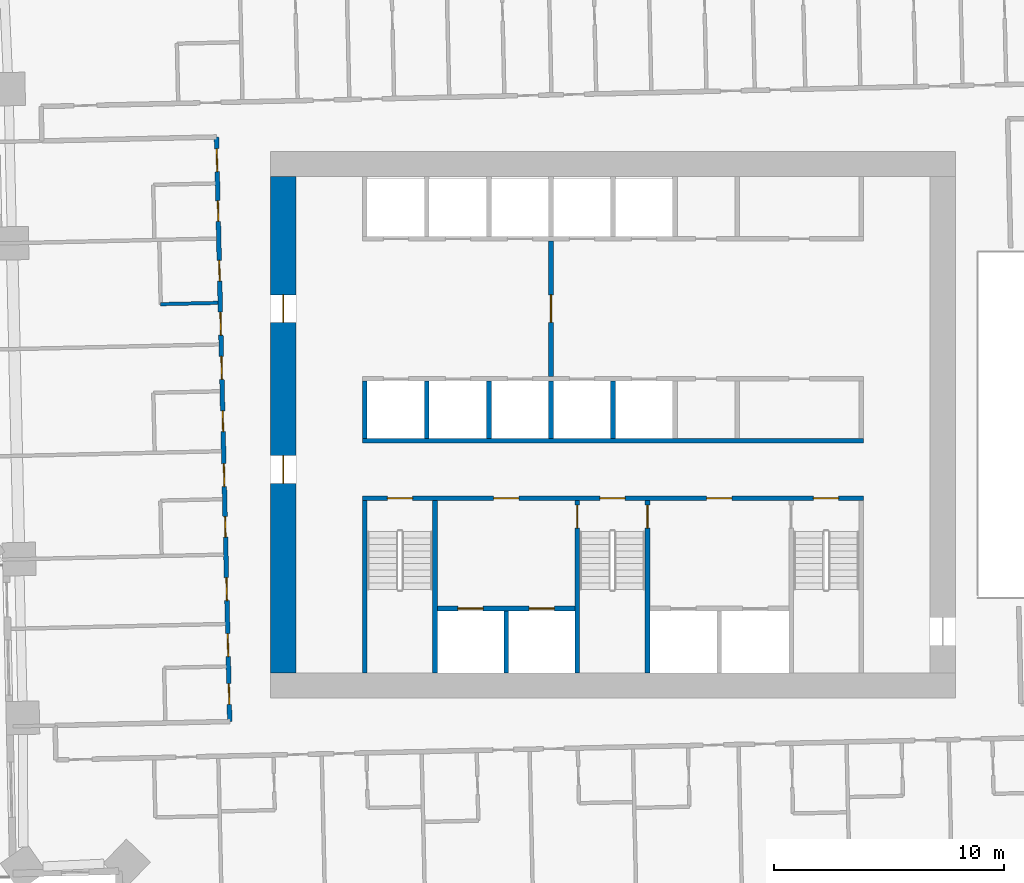
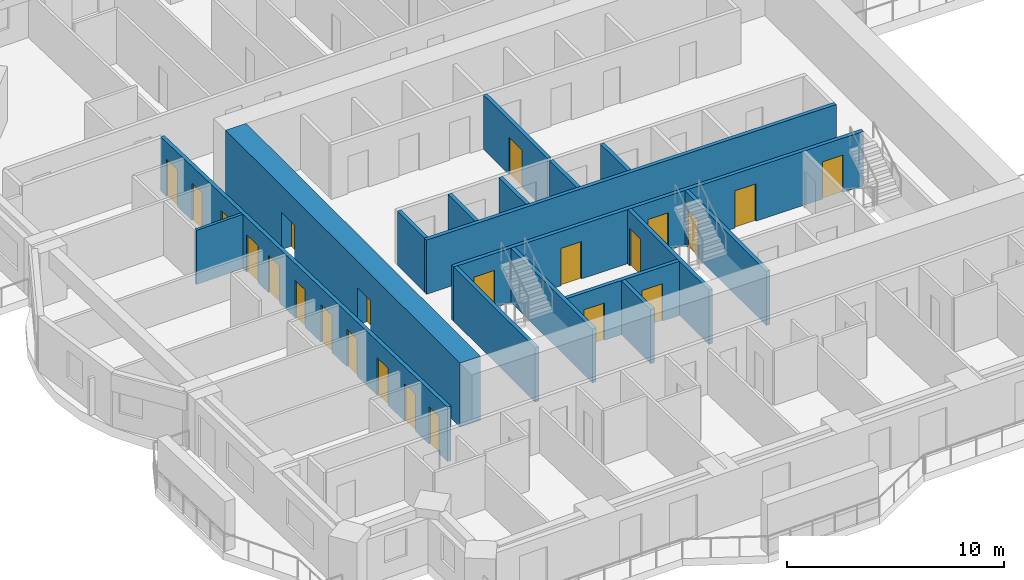
# One storey, part 8 of 17: 23 doors, 17 walls, 23 openings.
"""IFC4 building model written with IfcOpenShell, lengths in metres."""

from ifc_helpers import new_model, si_unit, direction, frame, frame_2d, origin, place, context, subcontext, project, spatial, rectangle, extrude, material, layer, layer_set, type_object, element, fill, save


model = new_model("IFC4")

# Units and contexts
model_context = context("Model", 3, precision=1e-05, world=origin(), true_north=direction((0.0, 1.0)))
body_context = subcontext(model_context, "Body", "Model", "MODEL_VIEW")
ifc_project = project(units=[si_unit("LENGTHUNIT", "METRE"), si_unit("AREAUNIT", "SQUARE_METRE"), si_unit("VOLUMEUNIT", "CUBIC_METRE"), si_unit("PLANEANGLEUNIT", "RADIAN"), si_unit("MASSUNIT", "GRAM", prefix="KILO")], contexts=[model_context])

# Site, building, storey
site_placement = place(None, origin())
site = spatial("IfcSite", under=ifc_project, at=site_placement, CompositionType="ELEMENT")
building_placement = place(site_placement, origin())
building = spatial("IfcBuilding", under=site, at=building_placement, Name="Mangrove Gate Tower", CompositionType="ELEMENT")
storey_placement = place(building_placement, frame((0.0, 0.0, 86.5)))
storey = spatial("IfcBuildingStorey", under=building, at=storey_placement, Name="L21", CompositionType="ELEMENT", Elevation=86.5)

# Wall, opening, door
ifc_material_1 = material(Name="Concrete C32/40", Category="concrete")
ifc_layer_1 = layer(ifc_material_1, 0.199951171875)
ifc_layer_set_1 = layer_set([ifc_layer_1], Name="Core lobby wall 200 C32/40")
wall_type_1 = type_object("IfcWallType", Name="Core lobby wall 200 C32/40", PredefinedType="STANDARD", material=ifc_layer_set_1)
wall_1_placement = place(storey_placement, frame((-2.699951171875, 2.10009765625, 0.0), z_axis=(0.0, 0.0, 1.0), x_axis=(0.0, 1.0, 0.0)))
wall_1 = element("IfcWall", 1, at=wall_1_placement, inside=storey, type_object=wall_type_1, Name="WALL-L21-CORE-35", PredefinedType="STANDARD", context=body_context, shape_type="SweptSolid", body=[
    extrude(rectangle(XDim=5.89990234375, YDim=0.199951171875, at=frame_2d((2.949951171875, 0.0))), origin(), (0.0, 0.0, 1.0), 3.050048828125),
])
opening_1_placement = place(wall_1_placement, frame((2.35009765625, 0.0, 0.0)))
opening_1 = element("IfcOpeningElement", 2, at=opening_1_placement, cuts=wall_1, Name="Opening FL12", PredefinedType="OPENING", context=body_context, shape_type="SweptSolid", body=[
    extrude(rectangle(XDim=1.199951171875, YDim=2.10009765625, at=frame_2d((0.60009765625, 1.050048828125))), frame((0.0, 0.10986328125, 0.0), z_axis=(0.0, -1.0, 0.0), x_axis=(1.0, 0.0, 0.0)), (0.0, 0.0, 1.0), 0.219970703125),
])
ifc_material_2 = material(Name="Fire-rated steel door set", Category="steel")
door_type_1 = type_object("IfcDoorType", Name="Lobby door FD60 1200x2100", OperationType="SINGLE_SWING_LEFT", PredefinedType="DOOR", material=ifc_material_2)
door_1_placement = place(opening_1_placement, origin())
door_1 = element("IfcDoor", 3, at=door_1_placement, inside=storey, type_object=door_type_1, Name="Lobby door lift lobby partition", OperationType="SINGLE_SWING_LEFT", OverallHeight=2.10009765625, OverallWidth=1.199951171875, PredefinedType="DOOR", context=body_context, shape_type="SweptSolid", body=[
    extrude(rectangle(XDim=1.199951171875, YDim=2.10009765625, at=frame_2d((0.60009765625, 1.050048828125))), frame((0.0, 0.02490234375, 0.0), z_axis=(0.0, -1.0, 0.0), x_axis=(1.0, 0.0, 0.0)), (0.0, 0.0, 1.0), 0.050048828125),
])
fill(opening_1, door_1)

# Wall
ifc_material_3 = material(Name="Concrete C70/85", Category="concrete")
ifc_layer_2 = layer(ifc_material_3, 0.199951171875)
ifc_layer_set_2 = layer_set([ifc_layer_2], Name="Core shaft wall 200 C70/85")
wall_type_2 = type_object("IfcWallType", Name="Core shaft wall 200 C70/85", PredefinedType="SHEAR", material=ifc_layer_set_2)
wall_2_placement = place(storey_placement, frame((-10.89990234375, -0.699951171875, 0.0), z_axis=(0.0, 0.0, 1.0), x_axis=(1.0, 0.0, 0.0)))
element("IfcWall", 4, at=wall_2_placement, inside=storey, type_object=wall_type_2, Name="WALL-L21-CORE-6", PredefinedType="SHEAR", context=body_context, shape_type="SweptSolid", body=[
    extrude(rectangle(XDim=21.7998046875, YDim=0.199951171875, at=frame_2d((10.89990234375, 0.0))), origin(), (0.0, 0.0, 1.0), 3.050048828125),
])

# Wall, openings, doors
wall_3_placement = place(storey_placement, frame((-7.64990234375, -8.0, 0.0), z_axis=(0.0, 0.0, 1.0), x_axis=(1.0, 0.0, 0.0)))
wall_3 = element("IfcWall", 5, at=wall_3_placement, inside=storey, type_object=wall_type_2, Name="WALL-L21-CORE-15", PredefinedType="SHEAR", context=body_context, shape_type="SweptSolid", body=[
    extrude(rectangle(XDim=6.0, YDim=0.199951171875, at=frame_2d((3.0, 0.0))), origin(), (0.0, 0.0, 1.0), 3.050048828125),
])
opening_2_placement = place(wall_3_placement, frame((0.89990234375, 0.0, 0.0)))
opening_2 = element("IfcOpeningElement", 6, at=opening_2_placement, cuts=wall_3, Name="Opening LD", PredefinedType="OPENING", context=body_context, shape_type="SweptSolid", body=[
    extrude(rectangle(XDim=1.10009765625, YDim=2.10009765625, at=frame_2d((0.550048828125, 1.050048828125))), frame((0.0, 0.10986328125, 0.0), z_axis=(0.0, -1.0, 0.0), x_axis=(1.0, 0.0, 0.0)), (0.0, 0.0, 1.0), 0.219970703125),
])
opening_3_placement = place(wall_3_placement, frame((4.0, 0.0, 0.0)))
opening_3 = element("IfcOpeningElement", 7, at=opening_3_placement, cuts=wall_3, Name="Opening LD", PredefinedType="OPENING", context=body_context, shape_type="SweptSolid", body=[
    extrude(rectangle(XDim=1.10009765625, YDim=2.10009765625, at=frame_2d((0.550048828125, 1.050048828125))), frame((0.0, 0.10986328125, 0.0), z_axis=(0.0, -1.0, 0.0), x_axis=(1.0, 0.0, 0.0)), (0.0, 0.0, 1.0), 0.219970703125),
])
ifc_material_4 = material(Name="Stainless steel 316", Category="steel")
door_type_2 = type_object("IfcDoorType", Name="Lift landing door 1100x2100", OperationType="SLIDING_TO_LEFT", PredefinedType="DOOR", material=ifc_material_4)
door_2_placement = place(opening_2_placement, origin())
door_2 = element("IfcDoor", 8, at=door_2_placement, inside=storey, type_object=door_type_2, Name="Landing door LD SVL1", OperationType="SLIDING_TO_LEFT", OverallHeight=2.10009765625, OverallWidth=1.10009765625, PredefinedType="DOOR", context=body_context, shape_type="SweptSolid", body=[
    extrude(rectangle(XDim=1.10009765625, YDim=2.10009765625, at=frame_2d((0.550048828125, 1.050048828125))), frame((0.0, 0.02490234375, 0.0), z_axis=(0.0, -1.0, 0.0), x_axis=(1.0, 0.0, 0.0)), (0.0, 0.0, 1.0), 0.050048828125),
])
fill(opening_2, door_2)
door_3_placement = place(opening_3_placement, origin())
door_3 = element("IfcDoor", 9, at=door_3_placement, inside=storey, type_object=door_type_2, Name="Landing door LD SVL2", OperationType="SLIDING_TO_LEFT", OverallHeight=2.10009765625, OverallWidth=1.10009765625, PredefinedType="DOOR", context=body_context, shape_type="SweptSolid", body=[
    extrude(rectangle(XDim=1.10009765625, YDim=2.10009765625, at=frame_2d((0.550048828125, 1.050048828125))), frame((0.0, 0.02490234375, 0.0), z_axis=(0.0, -1.0, 0.0), x_axis=(1.0, 0.0, 0.0)), (0.0, 0.0, 1.0), 0.050048828125),
])
fill(opening_3, door_3)

# Walls
wall_4_placement = place(storey_placement, frame((-4.64990234375, -10.800048828125, 0.0), z_axis=(0.0, 0.0, 1.0), x_axis=(0.0, 1.0, 0.0)))
element("IfcWall", 10, at=wall_4_placement, inside=storey, type_object=wall_type_2, Name="WALL-L21-CORE-16", PredefinedType="SHEAR", context=body_context, shape_type="SweptSolid", body=[
    extrude(rectangle(XDim=2.699951171875, YDim=0.199951171875, at=frame_2d((1.35009765625, 0.0))), origin(), (0.0, 0.0, 1.0), 3.050048828125),
])
for number, where, z_axis, x_axis, name in (
    (11, (-10.800048828125, -0.60009765625, 0.0), (0.0, 0.0, 1.0), (0.0, 1.0, 0.0), "WALL-L21-CORE-19"),
    (12, (-8.10009765625, -0.60009765625, 0.0), (0.0, 0.0, 1.0), (0.0, 1.0, 0.0), "WALL-L21-CORE-20"),
    (13, (-5.39990234375, -0.60009765625, 0.0), (0.0, 0.0, 1.0), (0.0, 1.0, 0.0), "WALL-L21-CORE-21"),
    (14, (-2.699951171875, -0.60009765625, 0.0), (0.0, 0.0, 1.0), (0.0, 1.0, 0.0), "WALL-L21-CORE-22"),
    (15, (0.0, -0.60009765625, 0.0), (0.0, 0.0, 1.0), (0.0, 1.0, 0.0), "WALL-L21-CORE-23"),
):
    element("IfcWall", number, at=place(storey_placement, frame(where, z_axis=z_axis, x_axis=x_axis)), inside=storey, type_object=wall_type_2, Name=name, PredefinedType="SHEAR", context=body_context, shape_type="SweptSolid", body=[
        extrude(rectangle(XDim=2.5, YDim=0.199951171875, at=frame_2d((1.25, 0.0))), origin(), (0.0, 0.0, 1.0), 3.050048828125),
    ])

# Wall, openings, doors
ifc_material_5 = material(Name="Concrete C70/85", Category="concrete")
ifc_layer_3 = layer(ifc_material_5, 0.199951171875)
ifc_layer_set_3 = layer_set([ifc_layer_3], Name="Core stair wall 200 C70/85")
wall_type_3 = type_object("IfcWallType", Name="Core stair wall 200 C70/85", PredefinedType="SHEAR", material=ifc_layer_set_3)
wall_5_placement = place(storey_placement, frame((-10.89990234375, -3.199951171875, 0.0), z_axis=(0.0, 0.0, 1.0), x_axis=(1.0, 0.0, 0.0)))
wall_5 = element("IfcWall", 16, at=wall_5_placement, inside=storey, type_object=wall_type_3, Name="WALL-L21-CORE-5", PredefinedType="SHEAR", context=body_context, shape_type="SweptSolid", body=[
    extrude(rectangle(XDim=21.7998046875, YDim=0.199951171875, at=frame_2d((10.89990234375, 0.0))), origin(), (0.0, 0.0, 1.0), 3.050048828125),
])
opening_4_placement = place(wall_5_placement, frame((1.074951171875, 0.0, 0.0)))
opening_4 = element("IfcOpeningElement", 17, at=opening_4_placement, cuts=wall_5, Name="Opening STD11", PredefinedType="OPENING", context=body_context, shape_type="SweptSolid", body=[
    extrude(rectangle(XDim=1.10009765625, YDim=2.10009765625, at=frame_2d((0.550048828125, 1.050048828125))), frame((0.0, 0.10986328125, 0.0), z_axis=(0.0, -1.0, 0.0), x_axis=(1.0, 0.0, 0.0)), (0.0, 0.0, 1.0), 0.219970703125),
])
opening_5_placement = place(wall_5_placement, frame((10.324951171875, 0.0, 0.0)))
opening_5 = element("IfcOpeningElement", 18, at=opening_5_placement, cuts=wall_5, Name="Opening STD11", PredefinedType="OPENING", context=body_context, shape_type="SweptSolid", body=[
    extrude(rectangle(XDim=1.10009765625, YDim=2.10009765625, at=frame_2d((0.550048828125, 1.050048828125))), frame((0.0, 0.10986328125, 0.0), z_axis=(0.0, -1.0, 0.0), x_axis=(1.0, 0.0, 0.0)), (0.0, 0.0, 1.0), 0.219970703125),
])
opening_6_placement = place(wall_5_placement, frame((19.625, 0.0, 0.0)))
opening_6 = element("IfcOpeningElement", 19, at=opening_6_placement, cuts=wall_5, Name="Opening STD11", PredefinedType="OPENING", context=body_context, shape_type="SweptSolid", body=[
    extrude(rectangle(XDim=1.10009765625, YDim=2.10009765625, at=frame_2d((0.550048828125, 1.050048828125))), frame((0.0, 0.10986328125, 0.0), z_axis=(0.0, -1.0, 0.0), x_axis=(1.0, 0.0, 0.0)), (0.0, 0.0, 1.0), 0.219970703125),
])
opening_7_placement = place(wall_5_placement, frame((5.699951171875, 0.0, 0.0)))
opening_7 = element("IfcOpeningElement", 20, at=opening_7_placement, cuts=wall_5, Name="Opening FL", PredefinedType="OPENING", context=body_context, shape_type="SweptSolid", body=[
    extrude(rectangle(XDim=1.10009765625, YDim=2.10009765625, at=frame_2d((0.550048828125, 1.050048828125))), frame((0.0, 0.10986328125, 0.0), z_axis=(0.0, -1.0, 0.0), x_axis=(1.0, 0.0, 0.0)), (0.0, 0.0, 1.0), 0.219970703125),
])
opening_8_placement = place(wall_5_placement, frame((14.97509765625, 0.0, 0.0)))
opening_8 = element("IfcOpeningElement", 21, at=opening_8_placement, cuts=wall_5, Name="Opening FL", PredefinedType="OPENING", context=body_context, shape_type="SweptSolid", body=[
    extrude(rectangle(XDim=1.10009765625, YDim=2.10009765625, at=frame_2d((0.550048828125, 1.050048828125))), frame((0.0, 0.10986328125, 0.0), z_axis=(0.0, -1.0, 0.0), x_axis=(1.0, 0.0, 0.0)), (0.0, 0.0, 1.0), 0.219970703125),
])
ifc_material_6 = material(Name="Fire-rated steel door set", Category="steel")
door_type_3 = type_object("IfcDoorType", Name="Lobby door FD60 1100x2100", OperationType="SINGLE_SWING_LEFT", PredefinedType="DOOR", material=ifc_material_6)
door_4_placement = place(opening_7_placement, origin())
door_4 = element("IfcDoor", 22, at=door_4_placement, inside=storey, type_object=door_type_3, Name="Lobby door service lobby", OperationType="SINGLE_SWING_LEFT", OverallHeight=2.10009765625, OverallWidth=1.10009765625, PredefinedType="DOOR", context=body_context, shape_type="SweptSolid", body=[
    extrude(rectangle(XDim=1.10009765625, YDim=2.10009765625, at=frame_2d((0.550048828125, 1.050048828125))), frame((0.0, 0.02490234375, 0.0), z_axis=(0.0, -1.0, 0.0), x_axis=(1.0, 0.0, 0.0)), (0.0, 0.0, 1.0), 0.050048828125),
])
fill(opening_7, door_4)
door_5_placement = place(opening_8_placement, origin())
door_5 = element("IfcDoor", 23, at=door_5_placement, inside=storey, type_object=door_type_3, Name="Lobby door fire-fighting lobby", OperationType="SINGLE_SWING_LEFT", OverallHeight=2.10009765625, OverallWidth=1.10009765625, PredefinedType="DOOR", context=body_context, shape_type="SweptSolid", body=[
    extrude(rectangle(XDim=1.10009765625, YDim=2.10009765625, at=frame_2d((0.550048828125, 1.050048828125))), frame((0.0, 0.02490234375, 0.0), z_axis=(0.0, -1.0, 0.0), x_axis=(1.0, 0.0, 0.0)), (0.0, 0.0, 1.0), 0.050048828125),
])
fill(opening_8, door_5)
ifc_material_7 = material(Name="Fire-rated steel door set", Category="steel")
door_type_4 = type_object("IfcDoorType", Name="Stair door FD60 1100x2100", OperationType="SINGLE_SWING_RIGHT", PredefinedType="DOOR", material=ifc_material_7)
door_6_placement = place(opening_4_placement, origin())
door_6 = element("IfcDoor", 24, at=door_6_placement, inside=storey, type_object=door_type_4, Name="Stair door Stair 1", OperationType="SINGLE_SWING_RIGHT", OverallHeight=2.10009765625, OverallWidth=1.10009765625, PredefinedType="DOOR", context=body_context, shape_type="SweptSolid", body=[
    extrude(rectangle(XDim=1.10009765625, YDim=2.10009765625, at=frame_2d((0.550048828125, 1.050048828125))), frame((0.0, 0.02490234375, 0.0), z_axis=(0.0, -1.0, 0.0), x_axis=(1.0, 0.0, 0.0)), (0.0, 0.0, 1.0), 0.050048828125),
])
fill(opening_4, door_6)
door_7_placement = place(opening_5_placement, origin())
door_7 = element("IfcDoor", 25, at=door_7_placement, inside=storey, type_object=door_type_4, Name="Stair door Stair 2", OperationType="SINGLE_SWING_RIGHT", OverallHeight=2.10009765625, OverallWidth=1.10009765625, PredefinedType="DOOR", context=body_context, shape_type="SweptSolid", body=[
    extrude(rectangle(XDim=1.10009765625, YDim=2.10009765625, at=frame_2d((0.550048828125, 1.050048828125))), frame((0.0, 0.02490234375, 0.0), z_axis=(0.0, -1.0, 0.0), x_axis=(1.0, 0.0, 0.0)), (0.0, 0.0, 1.0), 0.050048828125),
])
fill(opening_5, door_7)
door_8_placement = place(opening_6_placement, origin())
door_8 = element("IfcDoor", 26, at=door_8_placement, inside=storey, type_object=door_type_4, Name="Stair door Stair 3", OperationType="SINGLE_SWING_RIGHT", OverallHeight=2.10009765625, OverallWidth=1.10009765625, PredefinedType="DOOR", context=body_context, shape_type="SweptSolid", body=[
    extrude(rectangle(XDim=1.10009765625, YDim=2.10009765625, at=frame_2d((0.550048828125, 1.050048828125))), frame((0.0, 0.02490234375, 0.0), z_axis=(0.0, -1.0, 0.0), x_axis=(1.0, 0.0, 0.0)), (0.0, 0.0, 1.0), 0.050048828125),
])
fill(opening_6, door_8)

# Walls
for number, where, z_axis, x_axis, name in (
    (27, (-10.800048828125, -10.800048828125, 0.0), (0.0, 0.0, 1.0), (0.0, 1.0, 0.0), "WALL-L21-CORE-9"),
    (28, (-7.75, -10.800048828125, 0.0), (0.0, 0.0, 1.0), (0.0, 1.0, 0.0), "WALL-L21-CORE-10"),
):
    element("IfcWall", number, at=place(storey_placement, frame(where, z_axis=z_axis, x_axis=x_axis)), inside=storey, type_object=wall_type_3, Name=name, PredefinedType="SHEAR", context=body_context, shape_type="SweptSolid", body=[
        extrude(rectangle(XDim=7.5, YDim=0.199951171875, at=frame_2d((3.75, 0.0))), origin(), (0.0, 0.0, 1.0), 3.050048828125),
    ])

# Wall, opening, door
wall_6_placement = place(storey_placement, frame((-1.550048828125, -10.800048828125, 0.0), z_axis=(0.0, 0.0, 1.0), x_axis=(0.0, 1.0, 0.0)))
wall_6 = element("IfcWall", 29, at=wall_6_placement, inside=storey, type_object=wall_type_3, Name="WALL-L21-CORE-11", PredefinedType="SHEAR", context=body_context, shape_type="SweptSolid", body=[
    extrude(rectangle(XDim=7.5, YDim=0.199951171875, at=frame_2d((3.75, 0.0))), origin(), (0.0, 0.0, 1.0), 3.050048828125),
])
opening_9_placement = place(wall_6_placement, frame((6.300048828125, 0.0, 0.0)))
opening_9 = element("IfcOpeningElement", 30, at=opening_9_placement, cuts=wall_6, Name="Opening STD10", PredefinedType="OPENING", context=body_context, shape_type="SweptSolid", body=[
    extrude(rectangle(XDim=1.0, YDim=2.10009765625, at=frame_2d((0.5, 1.050048828125))), frame((0.0, 0.10986328125, 0.0), z_axis=(0.0, -1.0, 0.0), x_axis=(1.0, 0.0, 0.0)), (0.0, 0.0, 1.0), 0.219970703125),
])
ifc_material_8 = material(Name="Fire-rated steel door set", Category="steel")
door_type_5 = type_object("IfcDoorType", Name="Stair door FD60 1000x2100", OperationType="SINGLE_SWING_RIGHT", PredefinedType="DOOR", material=ifc_material_8)
door_9_placement = place(opening_9_placement, origin())
door_9 = element("IfcDoor", 31, at=door_9_placement, inside=storey, type_object=door_type_5, Name="Stair door Stair 2 from service lobby", OperationType="SINGLE_SWING_RIGHT", OverallHeight=2.10009765625, OverallWidth=1.0, PredefinedType="DOOR", context=body_context, shape_type="SweptSolid", body=[
    extrude(rectangle(XDim=1.0, YDim=2.10009765625, at=frame_2d((0.5, 1.050048828125))), frame((0.0, 0.02490234375, 0.0), z_axis=(0.0, -1.0, 0.0), x_axis=(1.0, 0.0, 0.0)), (0.0, 0.0, 1.0), 0.050048828125),
])
fill(opening_9, door_9)

wall_7_placement = place(storey_placement, frame((1.5, -10.800048828125, 0.0), z_axis=(0.0, 0.0, 1.0), x_axis=(0.0, 1.0, 0.0)))
wall_7 = element("IfcWall", 32, at=wall_7_placement, inside=storey, type_object=wall_type_3, Name="WALL-L21-CORE-12", PredefinedType="SHEAR", context=body_context, shape_type="SweptSolid", body=[
    extrude(rectangle(XDim=7.5, YDim=0.199951171875, at=frame_2d((3.75, 0.0))), origin(), (0.0, 0.0, 1.0), 3.050048828125),
])
opening_10_placement = place(wall_7_placement, frame((6.300048828125, 0.0, 0.0)))
opening_10 = element("IfcOpeningElement", 33, at=opening_10_placement, cuts=wall_7, Name="Opening STD10", PredefinedType="OPENING", context=body_context, shape_type="SweptSolid", body=[
    extrude(rectangle(XDim=1.0, YDim=2.10009765625, at=frame_2d((0.5, 1.050048828125))), frame((0.0, 0.10986328125, 0.0), z_axis=(0.0, -1.0, 0.0), x_axis=(1.0, 0.0, 0.0)), (0.0, 0.0, 1.0), 0.219970703125),
])
door_10_placement = place(opening_10_placement, origin())
door_10 = element("IfcDoor", 34, at=door_10_placement, inside=storey, type_object=door_type_5, Name="Stair door Stair 2 from fire-fighting lobby", OperationType="SINGLE_SWING_RIGHT", OverallHeight=2.10009765625, OverallWidth=1.0, PredefinedType="DOOR", context=body_context, shape_type="SweptSolid", body=[
    extrude(rectangle(XDim=1.0, YDim=2.10009765625, at=frame_2d((0.5, 1.050048828125))), frame((0.0, 0.02490234375, 0.0), z_axis=(0.0, -1.0, 0.0), x_axis=(1.0, 0.0, 0.0)), (0.0, 0.0, 1.0), 0.050048828125),
])
fill(opening_10, door_10)

# Wall, openings, doors
ifc_material_9 = material(Name="Concrete C70/85", Category="concrete")
ifc_layer_4 = layer(ifc_material_9, 1.10009765625)
ifc_layer_set_4 = layer_set([ifc_layer_4], Name="Core wall 1100 C70/85")
wall_type_4 = type_object("IfcWallType", Name="Core wall 1100 C70/85", PredefinedType="SHEAR", material=ifc_layer_set_4)
wall_8_placement = place(storey_placement, frame((-14.35009765625, -10.800048828125, 0.0), z_axis=(0.0, 0.0, 1.0), x_axis=(0.0, 1.0, 0.0)))
wall_8 = element("IfcWall", 35, at=wall_8_placement, inside=storey, type_object=wall_type_4, Name="WALL-L21-CORE-3", PredefinedType="SHEAR", context=body_context, shape_type="SweptSolid", body=[
    extrude(rectangle(XDim=21.60009765625, YDim=1.10009765625, at=frame_2d((10.800048828125, 0.0))), origin(), (0.0, 0.0, 1.0), 3.60009765625),
])
opening_11_placement = place(wall_8_placement, frame((8.25, 0.0, 0.0)))
opening_11 = element("IfcOpeningElement", 36, at=opening_11_placement, cuts=wall_8, Name="Opening CD", PredefinedType="OPENING", context=body_context, shape_type="SweptSolid", body=[
    extrude(rectangle(XDim=1.199951171875, YDim=2.10009765625, at=frame_2d((0.60009765625, 1.050048828125))), frame((0.0, 0.56005859375, 0.0), z_axis=(0.0, -1.0, 0.0), x_axis=(1.0, 0.0, 0.0)), (0.0, 0.0, 1.0), 1.1201171875),
])
opening_12_placement = place(wall_8_placement, frame((15.25, 0.0, 0.0)))
opening_12 = element("IfcOpeningElement", 37, at=opening_12_placement, cuts=wall_8, Name="Opening CD", PredefinedType="OPENING", context=body_context, shape_type="SweptSolid", body=[
    extrude(rectangle(XDim=1.199951171875, YDim=2.10009765625, at=frame_2d((0.60009765625, 1.050048828125))), frame((0.0, 0.56005859375, 0.0), z_axis=(0.0, -1.0, 0.0), x_axis=(1.0, 0.0, 0.0)), (0.0, 0.0, 1.0), 1.1201171875),
])
ifc_material_10 = material(Name="Fire-rated steel door set", Category="steel")
door_type_6 = type_object("IfcDoorType", Name="Core ring door FD60 1200x2100", OperationType="DOUBLE_DOOR_SINGLE_SWING", PredefinedType="DOOR", material=ifc_material_10)
door_11_placement = place(opening_11_placement, origin())
door_11 = element("IfcDoor", 38, at=door_11_placement, inside=storey, type_object=door_type_6, Name="Core ring door W1", OperationType="DOUBLE_DOOR_SINGLE_SWING", OverallHeight=2.10009765625, OverallWidth=1.199951171875, PredefinedType="DOOR", context=body_context, shape_type="SweptSolid", body=[
    extrude(rectangle(XDim=1.199951171875, YDim=2.10009765625, at=frame_2d((0.60009765625, 1.050048828125))), frame((0.0, 0.02490234375, 0.0), z_axis=(0.0, -1.0, 0.0), x_axis=(1.0, 0.0, 0.0)), (0.0, 0.0, 1.0), 0.050048828125),
])
fill(opening_11, door_11)
door_12_placement = place(opening_12_placement, origin())
door_12 = element("IfcDoor", 39, at=door_12_placement, inside=storey, type_object=door_type_6, Name="Core ring door W2", OperationType="DOUBLE_DOOR_SINGLE_SWING", OverallHeight=2.10009765625, OverallWidth=1.199951171875, PredefinedType="DOOR", context=body_context, shape_type="SweptSolid", body=[
    extrude(rectangle(XDim=1.199951171875, YDim=2.10009765625, at=frame_2d((0.60009765625, 1.050048828125))), frame((0.0, 0.02490234375, 0.0), z_axis=(0.0, -1.0, 0.0), x_axis=(1.0, 0.0, 0.0)), (0.0, 0.0, 1.0), 0.050048828125),
])
fill(opening_12, door_12)

ifc_material_11 = material(Name="Gypsum board on steel stud, EI 60", Category="steel")
ifc_layer_5 = layer(ifc_material_11, 0.199951171875)
ifc_layer_set_5 = layer_set([ifc_layer_5], Name="Corridor wall EI 60")
wall_type_5 = type_object("IfcWallType", Name="Corridor wall EI 60", PredefinedType="PARTITIONING", material=ifc_layer_set_5)
wall_9_placement = place(storey_placement, frame((-16.68408203125, -12.9189453125, 0.0), z_axis=(0.0, 0.0, 1.0), x_axis=(-0.022706151961, 0.999742182097, 0.0)))
wall_9 = element("IfcWall", 40, at=wall_9_placement, inside=storey, type_object=wall_type_5, Name="WALL-L21-036", PredefinedType="PARTITIONING", context=body_context, shape_type="SweptSolid", body=[
    extrude(rectangle(XDim=25.450439453125, YDim=0.199951171875, at=frame_2d((12.72509765625, 0.0))), origin(), (0.0, 0.0, 1.0), 3.050048828125),
])
opening_13_placement = place(wall_9_placement, frame((23.93798828125, 0.0, 0.0)))
opening_13 = element("IfcOpeningElement", 41, at=opening_13_placement, cuts=wall_9, Name="Opening AD", PredefinedType="OPENING", context=body_context, shape_type="SweptSolid", body=[
    extrude(rectangle(XDim=1.0, YDim=2.10009765625, at=frame_2d((0.5, 1.050048828125))), frame((0.0, 0.10986328125, 0.0), z_axis=(0.0, -1.0, 0.0), x_axis=(1.0, 0.0, 0.0)), (0.0, 0.0, 1.0), 0.219970703125),
])
opening_14_placement = place(wall_9_placement, frame((21.77490234375, 0.0, 0.0)))
opening_14 = element("IfcOpeningElement", 42, at=opening_14_placement, cuts=wall_9, Name="Opening SD", PredefinedType="OPENING", context=body_context, shape_type="SweptSolid", body=[
    extrude(rectangle(XDim=0.89990234375, YDim=2.10009765625, at=frame_2d((0.449951171875, 1.050048828125))), frame((0.0, 0.10986328125, 0.0), z_axis=(0.0, -1.0, 0.0), x_axis=(1.0, 0.0, 0.0)), (0.0, 0.0, 1.0), 0.219970703125),
])
opening_15_placement = place(wall_9_placement, frame((16.824951171875, 0.0, 0.0)))
opening_15 = element("IfcOpeningElement", 43, at=opening_15_placement, cuts=wall_9, Name="Opening AD", PredefinedType="OPENING", context=body_context, shape_type="SweptSolid", body=[
    extrude(rectangle(XDim=1.0, YDim=2.10009765625, at=frame_2d((0.5, 1.050048828125))), frame((0.0, 0.10986328125, 0.0), z_axis=(0.0, -1.0, 0.0), x_axis=(1.0, 0.0, 0.0)), (0.0, 0.0, 1.0), 0.219970703125),
])
opening_16_placement = place(wall_9_placement, frame((19.175048828125, 0.0, 0.0)))
opening_16 = element("IfcOpeningElement", 44, at=opening_16_placement, cuts=wall_9, Name="Opening SD", PredefinedType="OPENING", context=body_context, shape_type="SweptSolid", body=[
    extrude(rectangle(XDim=0.89990234375, YDim=2.10009765625, at=frame_2d((0.449951171875, 1.050048828125))), frame((0.0, 0.10986328125, 0.0), z_axis=(0.0, -1.0, 0.0), x_axis=(1.0, 0.0, 0.0)), (0.0, 0.0, 1.0), 0.219970703125),
])
opening_17_placement = place(wall_9_placement, frame((14.89990234375, 0.0, 0.0)))
opening_17 = element("IfcOpeningElement", 45, at=opening_17_placement, cuts=wall_9, Name="Opening AD", PredefinedType="OPENING", context=body_context, shape_type="SweptSolid", body=[
    extrude(rectangle(XDim=1.0, YDim=2.10009765625, at=frame_2d((0.5, 1.050048828125))), frame((0.0, 0.10986328125, 0.0), z_axis=(0.0, -1.0, 0.0), x_axis=(1.0, 0.0, 0.0)), (0.0, 0.0, 1.0), 0.219970703125),
])
opening_18_placement = place(wall_9_placement, frame((12.625, 0.0, 0.0)))
opening_18 = element("IfcOpeningElement", 46, at=opening_18_placement, cuts=wall_9, Name="Opening SD", PredefinedType="OPENING", context=body_context, shape_type="SweptSolid", body=[
    extrude(rectangle(XDim=0.89990234375, YDim=2.10009765625, at=frame_2d((0.449951171875, 1.050048828125))), frame((0.0, 0.10986328125, 0.0), z_axis=(0.0, -1.0, 0.0), x_axis=(1.0, 0.0, 0.0)), (0.0, 0.0, 1.0), 0.219970703125),
])
opening_19_placement = place(wall_9_placement, frame((10.22509765625, 0.0, 0.0)))
opening_19 = element("IfcOpeningElement", 47, at=opening_19_placement, cuts=wall_9, Name="Opening AD", PredefinedType="OPENING", context=body_context, shape_type="SweptSolid", body=[
    extrude(rectangle(XDim=1.0, YDim=2.10009765625, at=frame_2d((0.5, 1.050048828125))), frame((0.0, 0.10986328125, 0.0), z_axis=(0.0, -1.0, 0.0), x_axis=(1.0, 0.0, 0.0)), (0.0, 0.0, 1.0), 0.219970703125),
])
opening_20_placement = place(wall_9_placement, frame((8.02490234375, 0.0, 0.0)))
opening_20 = element("IfcOpeningElement", 48, at=opening_20_placement, cuts=wall_9, Name="Opening SD", PredefinedType="OPENING", context=body_context, shape_type="SweptSolid", body=[
    extrude(rectangle(XDim=0.89990234375, YDim=2.10009765625, at=frame_2d((0.449951171875, 1.050048828125))), frame((0.0, 0.10986328125, 0.0), z_axis=(0.0, -1.0, 0.0), x_axis=(1.0, 0.0, 0.0)), (0.0, 0.0, 1.0), 0.219970703125),
])
opening_21_placement = place(wall_9_placement, frame((5.261962890625, 0.0, 0.0)))
opening_21 = element("IfcOpeningElement", 49, at=opening_21_placement, cuts=wall_9, Name="Opening AD", PredefinedType="OPENING", context=body_context, shape_type="SweptSolid", body=[
    extrude(rectangle(XDim=1.0, YDim=2.10009765625, at=frame_2d((0.5, 1.050048828125))), frame((0.0, 0.10986328125, 0.0), z_axis=(0.0, -1.0, 0.0), x_axis=(1.0, 0.0, 0.0)), (0.0, 0.0, 1.0), 0.219970703125),
])
opening_22_placement = place(wall_9_placement, frame((2.824951171875, 0.0, 0.0)))
opening_22 = element("IfcOpeningElement", 50, at=opening_22_placement, cuts=wall_9, Name="Opening AD", PredefinedType="OPENING", context=body_context, shape_type="SweptSolid", body=[
    extrude(rectangle(XDim=1.0, YDim=2.10009765625, at=frame_2d((0.5, 1.050048828125))), frame((0.0, 0.10986328125, 0.0), z_axis=(0.0, -1.0, 0.0), x_axis=(1.0, 0.0, 0.0)), (0.0, 0.0, 1.0), 0.219970703125),
])
opening_23_placement = place(wall_9_placement, frame((0.75, 0.0, 0.0)))
opening_23 = element("IfcOpeningElement", 51, at=opening_23_placement, cuts=wall_9, Name="Opening SD", PredefinedType="OPENING", context=body_context, shape_type="SweptSolid", body=[
    extrude(rectangle(XDim=0.89990234375, YDim=2.10009765625, at=frame_2d((0.449951171875, 1.050048828125))), frame((0.0, 0.10986328125, 0.0), z_axis=(0.0, -1.0, 0.0), x_axis=(1.0, 0.0, 0.0)), (0.0, 0.0, 1.0), 0.219970703125),
])
ifc_material_12 = material(Name="Timber door leaf", Category="wood")
door_type_7 = type_object("IfcDoorType", Name="Amenity door 1000", OperationType="SINGLE_SWING_LEFT", PredefinedType="DOOR", material=ifc_material_12)
door_13_placement = place(opening_13_placement, origin())
door_13 = element("IfcDoor", 52, at=door_13_placement, inside=storey, type_object=door_type_7, Name="DOOR-L21-GAM-c5b", OperationType="SINGLE_SWING_LEFT", OverallHeight=2.10009765625, OverallWidth=1.0, PredefinedType="DOOR", context=body_context, shape_type="SweptSolid", body=[
    extrude(rectangle(XDim=1.0, YDim=2.10009765625, at=frame_2d((0.5, 1.050048828125))), frame((0.0, 0.02490234375, 0.0), z_axis=(0.0, -1.0, 0.0), x_axis=(1.0, 0.0, 0.0)), (0.0, 0.0, 1.0), 0.050048828125),
])
fill(opening_13, door_13)
door_14_placement = place(opening_15_placement, origin())
door_14 = element("IfcDoor", 53, at=door_14_placement, inside=storey, type_object=door_type_7, Name="DOOR-L21-STU-c5a", OperationType="SINGLE_SWING_RIGHT", OverallHeight=2.10009765625, OverallWidth=1.0, PredefinedType="DOOR", context=body_context, shape_type="SweptSolid", body=[
    extrude(rectangle(XDim=1.0, YDim=2.10009765625, at=frame_2d((0.5, 1.050048828125))), frame((0.0, 0.02490234375, 0.0), z_axis=(0.0, -1.0, 0.0), x_axis=(1.0, 0.0, 0.0)), (0.0, 0.0, 1.0), 0.050048828125),
])
fill(opening_15, door_14)
door_15_placement = place(opening_17_placement, origin())
door_15 = element("IfcDoor", 54, at=door_15_placement, inside=storey, type_object=door_type_7, Name="DOOR-L21-LNG-c5a", OperationType="SINGLE_SWING_LEFT", OverallHeight=2.10009765625, OverallWidth=1.0, PredefinedType="DOOR", context=body_context, shape_type="SweptSolid", body=[
    extrude(rectangle(XDim=1.0, YDim=2.10009765625, at=frame_2d((0.5, 1.050048828125))), frame((0.0, 0.02490234375, 0.0), z_axis=(0.0, -1.0, 0.0), x_axis=(1.0, 0.0, 0.0)), (0.0, 0.0, 1.0), 0.050048828125),
])
fill(opening_17, door_15)
door_16_placement = place(opening_19_placement, origin())
door_16 = element("IfcDoor", 55, at=door_16_placement, inside=storey, type_object=door_type_7, Name="DOOR-L21-GAM-c5c", OperationType="SINGLE_SWING_RIGHT", OverallHeight=2.10009765625, OverallWidth=1.0, PredefinedType="DOOR", context=body_context, shape_type="SweptSolid", body=[
    extrude(rectangle(XDim=1.0, YDim=2.10009765625, at=frame_2d((0.5, 1.050048828125))), frame((0.0, 0.02490234375, 0.0), z_axis=(0.0, -1.0, 0.0), x_axis=(1.0, 0.0, 0.0)), (0.0, 0.0, 1.0), 0.050048828125),
])
fill(opening_19, door_16)
door_17_placement = place(opening_21_placement, origin())
door_17 = element("IfcDoor", 56, at=door_17_placement, inside=storey, type_object=door_type_7, Name="DOOR-L21-STU-c5b", OperationType="SINGLE_SWING_LEFT", OverallHeight=2.10009765625, OverallWidth=1.0, PredefinedType="DOOR", context=body_context, shape_type="SweptSolid", body=[
    extrude(rectangle(XDim=1.0, YDim=2.10009765625, at=frame_2d((0.5, 1.050048828125))), frame((0.0, 0.02490234375, 0.0), z_axis=(0.0, -1.0, 0.0), x_axis=(1.0, 0.0, 0.0)), (0.0, 0.0, 1.0), 0.050048828125),
])
fill(opening_21, door_17)
door_18_placement = place(opening_22_placement, origin())
door_18 = element("IfcDoor", 57, at=door_18_placement, inside=storey, type_object=door_type_7, Name="DOOR-L21-LNG-c5b", OperationType="SINGLE_SWING_RIGHT", OverallHeight=2.10009765625, OverallWidth=1.0, PredefinedType="DOOR", context=body_context, shape_type="SweptSolid", body=[
    extrude(rectangle(XDim=1.0, YDim=2.10009765625, at=frame_2d((0.5, 1.050048828125))), frame((0.0, 0.02490234375, 0.0), z_axis=(0.0, -1.0, 0.0), x_axis=(1.0, 0.0, 0.0)), (0.0, 0.0, 1.0), 0.050048828125),
])
fill(opening_22, door_18)
ifc_material_13 = material(Name="Timber door leaf", Category="wood")
door_type_8 = type_object("IfcDoorType", Name="Service room door 900", OperationType="SINGLE_SWING_LEFT", PredefinedType="DOOR", material=ifc_material_13)
door_19_placement = place(opening_14_placement, origin())
door_19 = element("IfcDoor", 58, at=door_19_placement, inside=storey, type_object=door_type_8, Name="DOOR-L21-WC-c5a", OperationType="SINGLE_SWING_LEFT", OverallHeight=2.10009765625, OverallWidth=0.89990234375, PredefinedType="DOOR", context=body_context, shape_type="SweptSolid", body=[
    extrude(rectangle(XDim=0.89990234375, YDim=2.10009765625, at=frame_2d((0.449951171875, 1.050048828125))), frame((0.0, 0.02490234375, 0.0), z_axis=(0.0, -1.0, 0.0), x_axis=(1.0, 0.0, 0.0)), (0.0, 0.0, 1.0), 0.050048828125),
])
fill(opening_14, door_19)
door_20_placement = place(opening_16_placement, origin())
door_20 = element("IfcDoor", 59, at=door_20_placement, inside=storey, type_object=door_type_8, Name="DOOR-L21-LDY-c5b", OperationType="SINGLE_SWING_RIGHT", OverallHeight=2.10009765625, OverallWidth=0.89990234375, PredefinedType="DOOR", context=body_context, shape_type="SweptSolid", body=[
    extrude(rectangle(XDim=0.89990234375, YDim=2.10009765625, at=frame_2d((0.449951171875, 1.050048828125))), frame((0.0, 0.02490234375, 0.0), z_axis=(0.0, -1.0, 0.0), x_axis=(1.0, 0.0, 0.0)), (0.0, 0.0, 1.0), 0.050048828125),
])
fill(opening_16, door_20)
door_21_placement = place(opening_18_placement, origin())
door_21 = element("IfcDoor", 60, at=door_21_placement, inside=storey, type_object=door_type_8, Name="DOOR-L21-AWC-c5a", OperationType="SINGLE_SWING_LEFT", OverallHeight=2.10009765625, OverallWidth=0.89990234375, PredefinedType="DOOR", context=body_context, shape_type="SweptSolid", body=[
    extrude(rectangle(XDim=0.89990234375, YDim=2.10009765625, at=frame_2d((0.449951171875, 1.050048828125))), frame((0.0, 0.02490234375, 0.0), z_axis=(0.0, -1.0, 0.0), x_axis=(1.0, 0.0, 0.0)), (0.0, 0.0, 1.0), 0.050048828125),
])
fill(opening_18, door_21)
door_22_placement = place(opening_20_placement, origin())
door_22 = element("IfcDoor", 61, at=door_22_placement, inside=storey, type_object=door_type_8, Name="DOOR-L21-WC-c5b", OperationType="SINGLE_SWING_RIGHT", OverallHeight=2.10009765625, OverallWidth=0.89990234375, PredefinedType="DOOR", context=body_context, shape_type="SweptSolid", body=[
    extrude(rectangle(XDim=0.89990234375, YDim=2.10009765625, at=frame_2d((0.449951171875, 1.050048828125))), frame((0.0, 0.02490234375, 0.0), z_axis=(0.0, -1.0, 0.0), x_axis=(1.0, 0.0, 0.0)), (0.0, 0.0, 1.0), 0.050048828125),
])
fill(opening_20, door_22)
door_23_placement = place(opening_23_placement, origin())
door_23 = element("IfcDoor", 62, at=door_23_placement, inside=storey, type_object=door_type_8, Name="DOOR-L21-WC-c5c", OperationType="SINGLE_SWING_LEFT", OverallHeight=2.10009765625, OverallWidth=0.89990234375, PredefinedType="DOOR", context=body_context, shape_type="SweptSolid", body=[
    extrude(rectangle(XDim=0.89990234375, YDim=2.10009765625, at=frame_2d((0.449951171875, 1.050048828125))), frame((0.0, 0.02490234375, 0.0), z_axis=(0.0, -1.0, 0.0), x_axis=(1.0, 0.0, 0.0)), (0.0, 0.0, 1.0), 0.050048828125),
])
fill(opening_23, door_23)

# Wall
ifc_material_14 = material(Name="Gypsum board on steel stud, EI 60", Category="steel")
ifc_layer_6 = layer(ifc_material_14, 0.14990234375)
ifc_layer_set_6 = layer_set([ifc_layer_6], Name="Party wall 150 EI 60")
wall_type_6 = type_object("IfcWallType", Name="Party wall 150 EI 60", PredefinedType="PARTITIONING", material=ifc_layer_set_6)
wall_10_placement = place(storey_placement, frame((-19.69189453125, 5.248046875, 0.0), z_axis=(0.0, 0.0, 1.0), x_axis=(0.999740977561, 0.022759125332, 0.0)))
element("IfcWall", 63, at=wall_10_placement, inside=storey, type_object=wall_type_6, Name="WALL-L21-050", PredefinedType="PARTITIONING", context=body_context, shape_type="SweptSolid", body=[
    extrude(rectangle(XDim=2.49951171875, YDim=0.14990234375, at=frame_2d((1.249755859375, 0.0))), origin(), (0.0, 0.0, 1.0), 3.050048828125),
])

save(model, "model.ifc")
